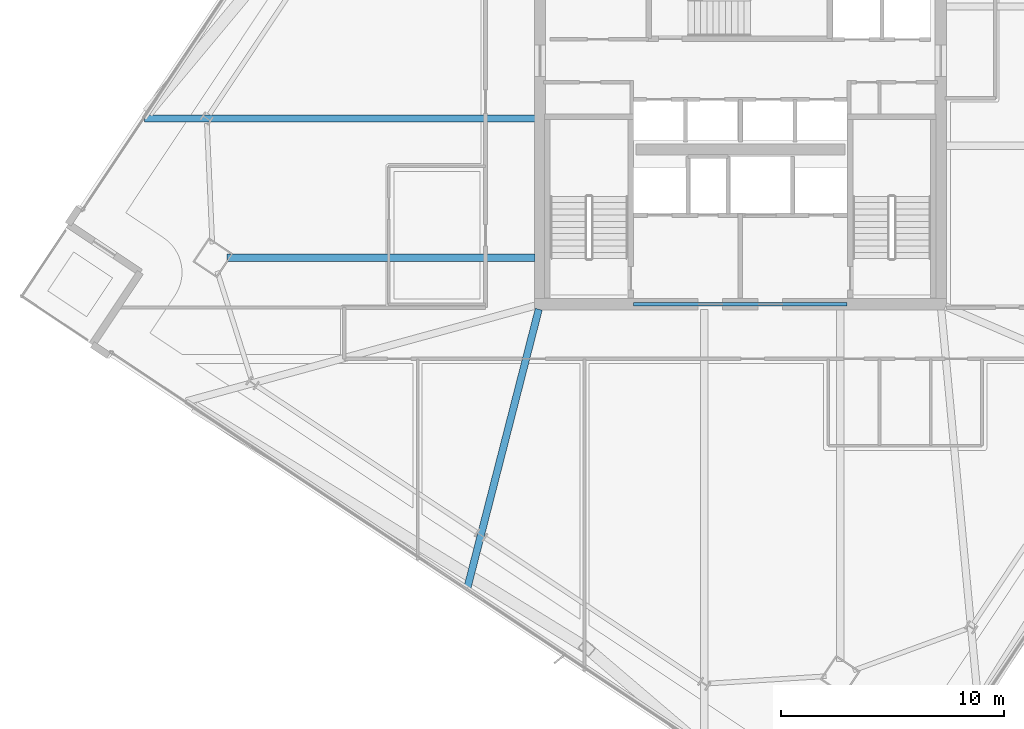
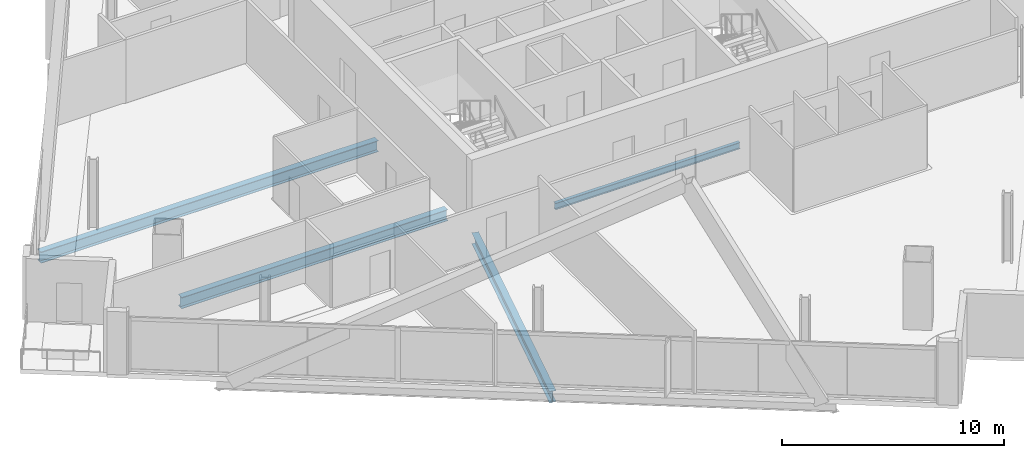
# One storey, part 6 of 32: 4 beams.
"""IFC4 building model written with IfcOpenShell, lengths in metres."""

from ifc_helpers import new_model, si_unit, direction, frame, origin, origin_2d, place, context, subcontext, project, spatial, i_section, extrude, material, material_profile, profile_set, type_object, element, save


model = new_model("IFC4")

# Units and contexts
model_context = context("Model", 3, precision=1e-05, world=origin(), true_north=direction((0.0, 1.0)))
body_context = subcontext(model_context, "Body", "Model", "MODEL_VIEW")
ifc_project = project(units=[si_unit("LENGTHUNIT", "METRE"), si_unit("AREAUNIT", "SQUARE_METRE"), si_unit("VOLUMEUNIT", "CUBIC_METRE"), si_unit("PLANEANGLEUNIT", "RADIAN"), si_unit("MASSUNIT", "GRAM", prefix="KILO")], contexts=[model_context])

# Site, building, storey
site_placement = place(None, origin())
site = spatial("IfcSite", under=ifc_project, at=site_placement, CompositionType="ELEMENT")
building_placement = place(site_placement, origin())
building = spatial("IfcBuilding", under=site, at=building_placement, Name="Haldenkirk Collegiate Tower", CompositionType="ELEMENT")
storey_placement = place(building_placement, frame((0.0, 0.0, 217.199951171875)))
storey = spatial("IfcBuildingStorey", under=building, at=storey_placement, Name="L54", CompositionType="ELEMENT", Elevation=217.199951171875)

# Beams
ifc_material = material(Name="Steel ASTM A992 Grade 50", Category="steel")
ifc_material_profile_1 = material_profile(ifc_material, i_section(OverallWidth=0.324951171875, OverallDepth=0.615966796875, WebThickness=0.013916015625, FlangeThickness=0.021484375, at=origin_2d()), Name="W24X117")
ifc_profile_set_1 = profile_set([ifc_material_profile_1], Name="Steel ASTM A992 Grade 50")
beam_type_1 = type_object("IfcBeamType", Name="BM-GIRDER-W24X117", PredefinedType="BEAM", material=ifc_profile_set_1)
beam_1_placement = place(storey_placement, frame((12.9345703125, 20.089599609375, -0.587890625), z_axis=(1.0, 0.0, 0.0), x_axis=(0.0, 1.0, 0.0)))
element("IfcBeam", 1, at=beam_1_placement, inside=storey, type_object=beam_type_1, Name="L54 primary floor girder 04", PredefinedType="BEAM", context=body_context, shape_type="SweptSolid", body=[
    extrude(i_section(OverallWidth=0.324951171875, OverallDepth=0.615966796875, WebThickness=0.013916015625, FlangeThickness=0.021484375, at=origin_2d()), origin(), (0.0, 0.0, 1.0), 13.83544921875),
])
beam_2_placement = place(storey_placement, frame((9.22607421875, 26.34716796875, -0.587890625), z_axis=(1.0, 0.0, 0.0), x_axis=(0.0, 1.0, 0.0)))
element("IfcBeam", 2, at=beam_2_placement, inside=storey, type_object=beam_type_1, Name="L54 primary floor girder 13", PredefinedType="BEAM", context=body_context, shape_type="SweptSolid", body=[
    extrude(i_section(OverallWidth=0.324951171875, OverallDepth=0.615966796875, WebThickness=0.013916015625, FlangeThickness=0.021484375, at=origin_2d()), origin(), (0.0, 0.0, 1.0), 17.5439453125),
])
beam_3_placement = place(storey_placement, frame((23.730712890625, 5.239990234375, -0.587890625), z_axis=(0.248195165158, 0.968710049495, 0.0), x_axis=(-0.968710049495, 0.248195165158, 0.0)))
element("IfcBeam", 3, at=beam_3_placement, inside=storey, type_object=beam_type_1, Name="L54 primary floor girder 15", PredefinedType="BEAM", context=body_context, shape_type="SweptSolid", body=[
    extrude(i_section(OverallWidth=0.324951171875, OverallDepth=0.615966796875, WebThickness=0.013916015625, FlangeThickness=0.021484375, at=origin_2d()), origin(), (0.0, 0.0, 1.0), 12.942138671875),
])
ifc_material_profile_2 = material_profile(ifc_material, i_section(OverallWidth=0.1708984375, OverallDepth=0.35595703125, WebThickness=0.007080078125, FlangeThickness=0.01171875, at=origin_2d()), Name="W14X34")
ifc_profile_set_2 = profile_set([ifc_material_profile_2], Name="Steel ASTM A992 Grade 50")
beam_type_2 = type_object("IfcBeamType", Name="BM-LINTEL-W14X34", PredefinedType="LINTEL", material=ifc_profile_set_2)
beam_4_placement = place(storey_placement, frame((31.199951171875, 18.0, -0.4580078125), z_axis=(1.0, 0.0, 0.0), x_axis=(0.0, 1.0, 0.0)))
element("IfcBeam", 4, at=beam_4_placement, inside=storey, type_object=beam_type_2, Name="L54 south core coupling lintel", PredefinedType="LINTEL", context=body_context, shape_type="SweptSolid", body=[
    extrude(i_section(OverallWidth=0.1708984375, OverallDepth=0.35595703125, WebThickness=0.007080078125, FlangeThickness=0.01171875, at=origin_2d()), origin(), (0.0, 0.0, 1.0), 9.60009765625),
])

save(model, "model.ifc")
